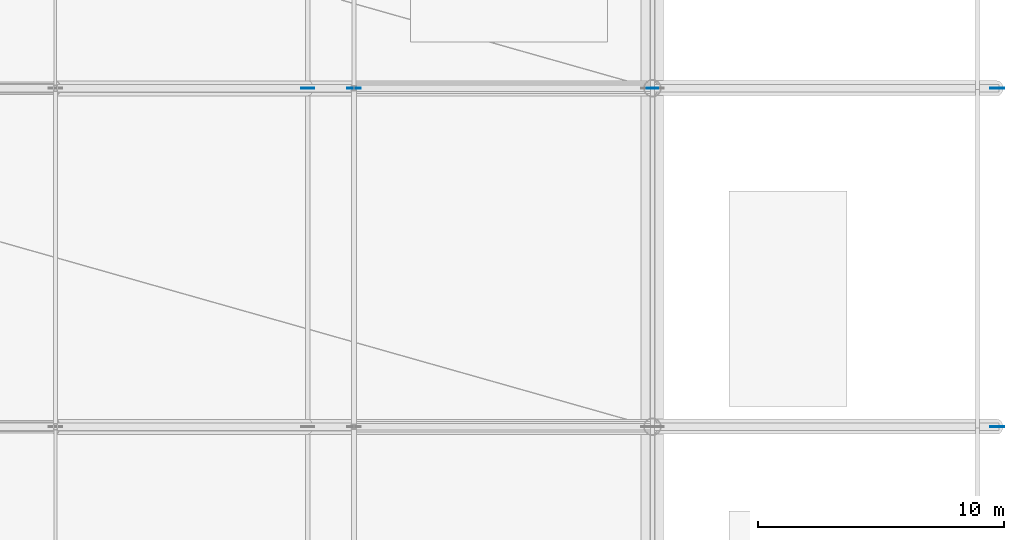
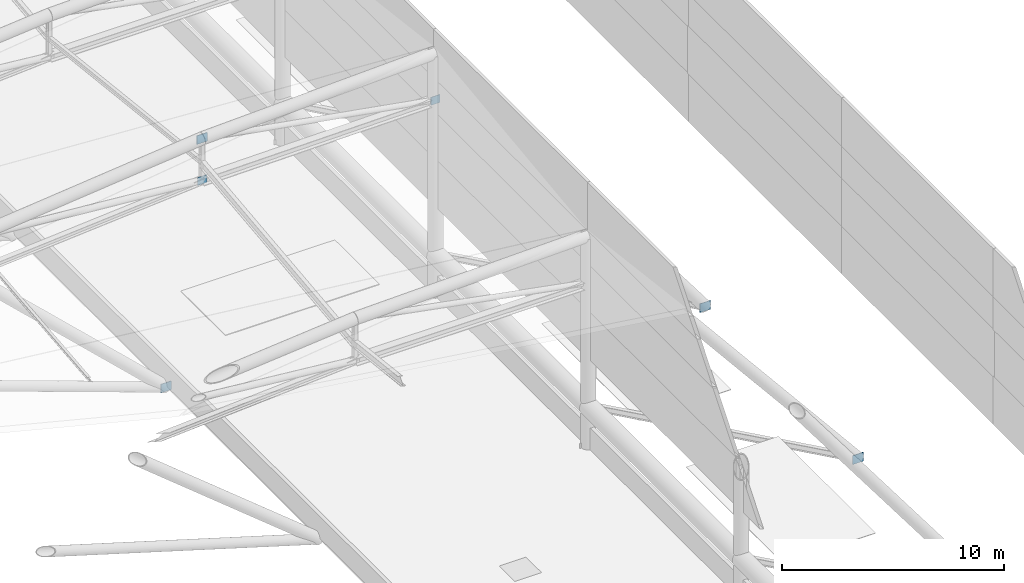
# One storey, part 89 of 113: 6 plates.
"""IFC4 building model written with IfcOpenShell, lengths in metres."""

from ifc_helpers import new_model, si_unit, direction, frame, origin, origin_2d, place, context, subcontext, project, spatial, rectangle, extrude, material, layer, layer_set, type_object, element, save


model = new_model("IFC4")

# Units and contexts
model_context = context("Model", 3, precision=1e-05, world=origin(), true_north=direction((0.0, 1.0)))
body_context = subcontext(model_context, "Body", "Model", "MODEL_VIEW")
ifc_project = project(units=[si_unit("LENGTHUNIT", "METRE"), si_unit("AREAUNIT", "SQUARE_METRE"), si_unit("VOLUMEUNIT", "CUBIC_METRE"), si_unit("PLANEANGLEUNIT", "RADIAN"), si_unit("MASSUNIT", "GRAM", prefix="KILO")], contexts=[model_context])

# Site, building, storey
site_placement = place(None, origin())
site = spatial("IfcSite", under=ifc_project, at=site_placement, CompositionType="ELEMENT")
building_placement = place(site_placement, origin())
building = spatial("IfcBuilding", under=site, at=building_placement, Name="Linyun Crest Stadium", CompositionType="ELEMENT")
storey_placement = place(building_placement, frame((0.0, 0.0, 26.39990234375)))
storey = spatial("IfcBuildingStorey", under=building, at=storey_placement, Name="L06", CompositionType="ELEMENT", Elevation=26.39990234375)

# Plates
ifc_material_1 = material(Name="Steel Q355C", Category="steel")
ifc_layer_1 = layer(ifc_material_1, 0.02392578125)
ifc_layer_set_1 = layer_set([ifc_layer_1], Name="Steel Q355C")
plate_type_1 = type_object("IfcPlateType", Name="NP01", PredefinedType="USERDEFINED", material=ifc_layer_set_1)
for number, where, z_axis, x_axis, name in (
    (1, (84.0, 2.125, 10.43017578125), (0.0, 0.0, 1.0), (1.0, 0.0, 0.0), "Roof bottom-chord node gusset plate NP01 164"),
    (2, (71.875, 2.125, 10.26806640625), (0.0, 0.0, 1.0), (1.0, 0.0, 0.0), "Roof bottom-chord node gusset plate NP01 165"),
):
    element("IfcPlate", number, at=place(storey_placement, frame(where, z_axis=z_axis, x_axis=x_axis)), inside=storey, type_object=plate_type_1, Name=name, ObjectType="GUSSET PLATE", PredefinedType="USERDEFINED", context=body_context, shape_type="SweptSolid", body=[
        extrude(rectangle(XDim=0.47998046875, YDim=0.02392578125, at=origin_2d()), origin(), (0.0, 0.0, 1.0), 0.43994140625),
    ])
ifc_material_2 = material(Name="Steel Q420C", Category="steel")
ifc_layer_2 = layer(ifc_material_2, 0.028076171875)
ifc_layer_set_2 = layer_set([ifc_layer_2], Name="Steel Q420C")
plate_type_2 = type_object("IfcPlateType", Name="NP02", PredefinedType="USERDEFINED", material=ifc_layer_set_2)
for number, where, z_axis, x_axis, name in (
    (3, (71.875, 2.125, 12.5361328125), (0.0, 0.0, 1.0), (1.0, 0.0, 0.0), "Roof truss node gusset plate NP02 159"),
    (4, (70.0, 2.125, -0.454833984375), (0.0, 0.0, 1.0), (1.0, 0.0, 0.0), "Roof V-strut base gusset plate NP02 169"),
):
    element("IfcPlate", number, at=place(storey_placement, frame(where, z_axis=z_axis, x_axis=x_axis)), inside=storey, type_object=plate_type_2, Name=name, ObjectType="GUSSET PLATE", PredefinedType="USERDEFINED", context=body_context, shape_type="SweptSolid", body=[
        extrude(rectangle(XDim=0.5400390625, YDim=0.028076171875, at=origin_2d()), origin(), (0.0, 0.0, 1.0), 0.47998046875),
    ])
ifc_material_3 = material(Name="Steel Q420C", Category="steel")
ifc_layer_3 = layer(ifc_material_3, 0.031982421875)
ifc_layer_set_3 = layer_set([ifc_layer_3], Name="Steel Q420C")
plate_type_3 = type_object("IfcPlateType", Name="NP03", PredefinedType="USERDEFINED", material=ifc_layer_set_3)
for number, where, z_axis, x_axis, name in (
    (5, (98.0, -11.625, -5.83984375), (0.0, 0.0, 1.0), (1.0, 0.0, 0.0), "Roof back-stay anchor gusset plate NP03 150"),
    (6, (98.0, 2.125, -5.83984375), (0.0, 0.0, 1.0), (1.0, 0.0, 0.0), "Roof back-stay anchor gusset plate NP03 163"),
):
    element("IfcPlate", number, at=place(storey_placement, frame(where, z_axis=z_axis, x_axis=x_axis)), inside=storey, type_object=plate_type_3, Name=name, ObjectType="GUSSET PLATE", PredefinedType="USERDEFINED", context=body_context, shape_type="SweptSolid", body=[
        extrude(rectangle(XDim=0.56005859375, YDim=0.031982421875, at=origin_2d()), origin(), (0.0, 0.0, 1.0), 0.47998046875),
    ])

save(model, "model.ifc")
